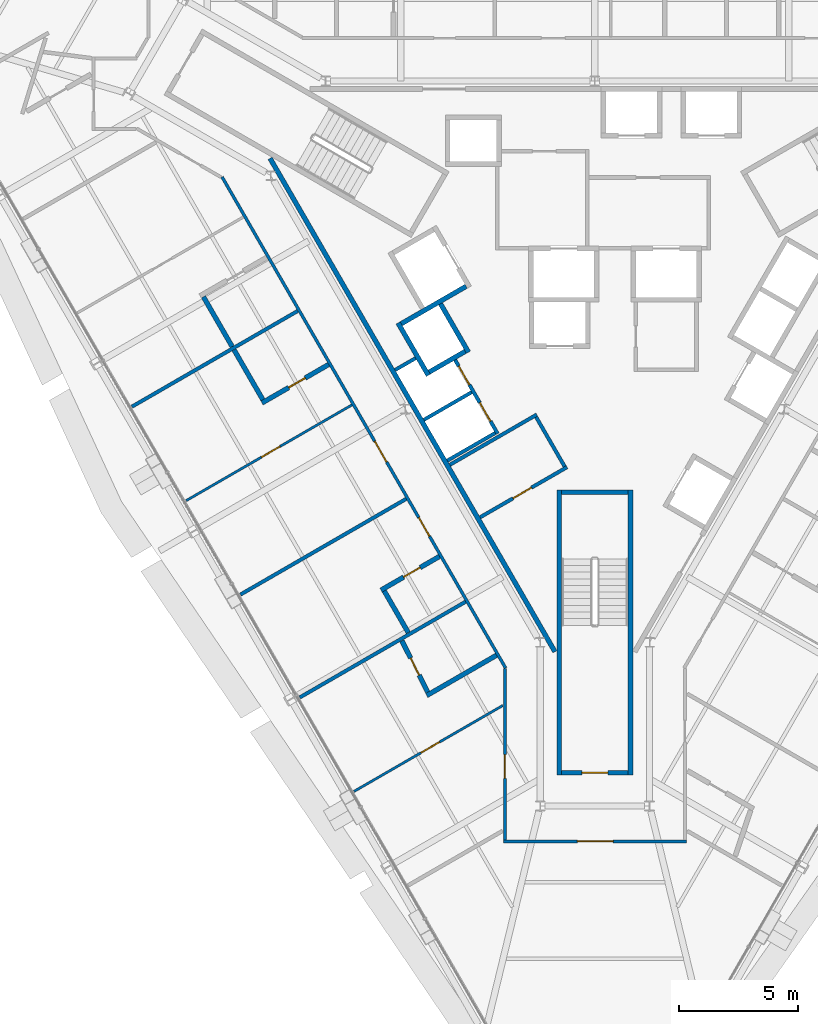
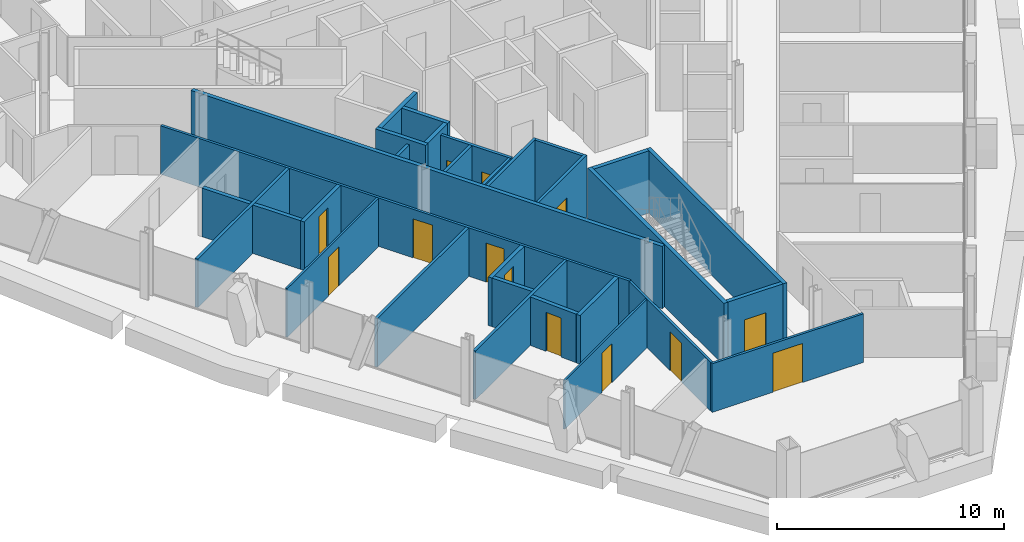
# One storey, part 13 of 19: 31 walls, 13 doors, 13 openings.
"""IFC4 building model written with IfcOpenShell, lengths in metres."""

from ifc_helpers import new_model, si_unit, direction, frame, frame_2d, origin, place, context, subcontext, project, spatial, rectangle, extrude, material, layer, layer_set, type_object, element, fill, save


model = new_model("IFC4")

# Units and contexts
model_context = context("Model", 3, precision=1e-05, world=origin(), true_north=direction((0.0, 1.0)))
body_context = subcontext(model_context, "Body", "Model", "MODEL_VIEW")
ifc_project = project(units=[si_unit("LENGTHUNIT", "METRE"), si_unit("AREAUNIT", "SQUARE_METRE"), si_unit("VOLUMEUNIT", "CUBIC_METRE"), si_unit("PLANEANGLEUNIT", "RADIAN"), si_unit("MASSUNIT", "GRAM", prefix="KILO")], contexts=[model_context])

# Site, building, storey
site_placement = place(None, origin())
site = spatial("IfcSite", under=ifc_project, at=site_placement, CompositionType="ELEMENT")
building_placement = place(site_placement, origin())
building = spatial("IfcBuilding", under=site, at=building_placement, Name="Verrane Prism Tower", CompositionType="ELEMENT")
storey_placement = place(building_placement, frame((0.0, 0.0, 125.199951171875)))
storey = spatial("IfcBuildingStorey", under=building, at=storey_placement, Name="L30", CompositionType="ELEMENT", Elevation=125.199951171875)

# Wall
ifc_material_1 = material(Name="Gypsum board partition", Category="other")
ifc_layer_1 = layer(ifc_material_1, 0.199951171875)
ifc_layer_set_1 = layer_set([ifc_layer_1], Name="CW-200 core boundary wall 2 h")
wall_type_1 = type_object("IfcWallType", Name="CW-200 core boundary wall 2 h", PredefinedType="PARTITIONING", material=ifc_layer_set_1)
wall_1_placement = place(storey_placement, frame((-13.66357421875, 5.946044921875, 0.0), z_axis=(0.0, 0.0, 1.0), x_axis=(0.499994327219, -0.866028678941, 0.0)))
element("IfcWall", 1, at=wall_1_placement, inside=storey, type_object=wall_type_1, Name="Core boundary wall CW3-001", PredefinedType="PARTITIONING", context=body_context, shape_type="SweptSolid", body=[
    extrude(rectangle(XDim=23.967529296875, YDim=0.199951171875, at=frame_2d((11.98388671875, 0.0))), origin(), (0.0, 0.0, 1.0), 3.35009765625),
])

# Wall, opening, door
ifc_material_2 = material(Name="Concrete C40/50", Category="concrete")
ifc_layer_2 = layer(ifc_material_2, 0.199951171875)
ifc_layer_set_2 = layer_set([ifc_layer_2], Name="CW-200 stair core wall concrete C40/50 3 h")
wall_type_2 = type_object("IfcWallType", Name="CW-200 stair core wall concrete C40/50 3 h", PredefinedType="PARTITIONING", material=ifc_layer_set_2)
wall_2_placement = place(storey_placement, frame((-1.39990234375, -19.89990234375, 0.0), z_axis=(0.0, 0.0, 1.0), x_axis=(1.0, 0.0, 0.0)))
wall_2 = element("IfcWall", 2, at=wall_2_placement, inside=storey, type_object=wall_type_2, Name="Stair 3 enclosure wall", PredefinedType="PARTITIONING", context=body_context, shape_type="SweptSolid", body=[
    extrude(rectangle(XDim=2.7998046875, YDim=0.199951171875, at=frame_2d((1.39990234375, 0.0))), origin(), (0.0, 0.0, 1.0), 3.35009765625),
])
opening_1_placement = place(wall_2_placement, frame((0.85009765625, 0.0, 0.0)))
opening_1 = element("IfcOpeningElement", 3, at=opening_1_placement, cuts=wall_2, Name="Opening D29502", PredefinedType="OPENING", context=body_context, shape_type="SweptSolid", body=[
    extrude(rectangle(XDim=1.10009765625, YDim=2.10009765625, at=frame_2d((0.550048828125, 1.050048828125))), frame((0.0, 0.10986328125, 0.0), z_axis=(0.0, -1.0, 0.0), x_axis=(1.0, 0.0, 0.0)), (0.0, 0.0, 1.0), 0.219970703125),
])
ifc_material_3 = material(Name="Timber veneered door leaf", Category="wood")
door_type_1 = type_object("IfcDoorType", Name="DR-1100x2100 FD90 single leaf stair", OperationType="NOTDEFINED", PredefinedType="DOOR", material=ifc_material_3)
door_1_placement = place(opening_1_placement, origin())
door_1 = element("IfcDoor", 4, at=door_1_placement, inside=storey, type_object=door_type_1, Name="Stair 3 door", OperationType="SINGLE_SWING_LEFT", OverallHeight=2.10009765625, OverallWidth=1.10009765625, PredefinedType="DOOR", context=body_context, shape_type="SweptSolid", body=[
    extrude(rectangle(XDim=1.10009765625, YDim=2.10009765625, at=frame_2d((0.550048828125, 1.050048828125))), frame((0.0, 0.02490234375, 0.0), z_axis=(0.0, -1.0, 0.0), x_axis=(1.0, 0.0, 0.0)), (0.0, 0.0, 1.0), 0.050048828125),
])
fill(opening_1, door_1)

# Walls
for number, where, z_axis, x_axis, name in (
    (5, (1.5, -8.0, 0.0), (0.0, 0.0, 1.0), (0.0, -1.0, 0.0), "Stair 3 enclosure wall"),
    (6, (-1.5, -8.0, 0.0), (0.0, 0.0, 1.0), (0.0, -1.0, 0.0), "Stair 3 enclosure wall"),
):
    element("IfcWall", number, at=place(storey_placement, frame(where, z_axis=z_axis, x_axis=x_axis)), inside=storey, type_object=wall_type_2, Name=name, PredefinedType="PARTITIONING", context=body_context, shape_type="SweptSolid", body=[
        extrude(rectangle(XDim=12.0, YDim=0.199951171875, at=frame_2d((6.0, 0.0))), origin(), (0.0, 0.0, 1.0), 3.35009765625),
    ])
wall_3_placement = place(storey_placement, frame((-1.39990234375, -8.10009765625, 0.0), z_axis=(0.0, 0.0, 1.0), x_axis=(1.0, 0.0, 0.0)))
element("IfcWall", 7, at=wall_3_placement, inside=storey, type_object=wall_type_2, Name="Stair 3 enclosure wall", PredefinedType="PARTITIONING", context=body_context, shape_type="SweptSolid", body=[
    extrude(rectangle(XDim=2.7998046875, YDim=0.199951171875, at=frame_2d((1.39990234375, 0.0))), origin(), (0.0, 0.0, 1.0), 3.35009765625),
])
ifc_material_4 = material(Name="Gypsum board shaft wall assembly", Category="other")
ifc_layer_3 = layer(ifc_material_4, 0.199951171875)
ifc_layer_set_3 = layer_set([ifc_layer_3], Name="HW-200 lift shaft wall 2 h")
wall_type_3 = type_object("IfcWallType", Name="HW-200 lift shaft wall 2 h", PredefinedType="PARTITIONING", material=ifc_layer_set_3)
wall_4_placement = place(storey_placement, frame((-6.9697265625, -3.048095703125, 0.0), z_axis=(0.0, 0.0, 1.0), x_axis=(0.866036909293, 0.499980071345, 0.0)))
element("IfcWall", 8, at=wall_4_placement, inside=storey, type_object=wall_type_3, Name="Lift shaft wall", PredefinedType="PARTITIONING", context=body_context, shape_type="SweptSolid", body=[
    extrude(rectangle(XDim=1.75, YDim=0.199951171875, at=frame_2d((0.875, 0.0))), origin(), (0.0, 0.0, 1.0), 3.60009765625),
])
wall_5_placement = place(storey_placement, frame((-8.14453125, -1.012939453125, 0.0), z_axis=(0.0, 0.0, 1.0), x_axis=(0.866016494683, 0.500015430699, 0.0)))
element("IfcWall", 9, at=wall_5_placement, inside=storey, type_object=wall_type_3, Name="Lift shaft wall", PredefinedType="PARTITIONING", context=body_context, shape_type="SweptSolid", body=[
    extrude(rectangle(XDim=3.14990234375, YDim=0.199951171875, at=frame_2d((1.574951171875, 0.0))), origin(), (0.0, 0.0, 1.0), 3.60009765625),
])
wall_6_placement = place(storey_placement, frame((-5.317626953125, -2.209716796875, 0.0), z_axis=(0.0, 0.0, 1.0), x_axis=(-0.499938297808, 0.866061024631, 0.0)))
element("IfcWall", 10, at=wall_6_placement, inside=storey, type_object=wall_type_3, Name="Lift shaft wall", PredefinedType="PARTITIONING", context=body_context, shape_type="SweptSolid", body=[
    extrude(rectangle(XDim=2.349853515625, YDim=0.199951171875, at=frame_2d((1.1748046875, 0.0))), origin(), (0.0, 0.0, 1.0), 3.60009765625),
])
wall_7_placement = place(storey_placement, frame((-7.00634765625, -3.184814453125, 0.0), z_axis=(0.0, 0.0, 1.0), x_axis=(-0.499990435942, 0.866030925526, 0.0)))
element("IfcWall", 11, at=wall_7_placement, inside=storey, type_object=wall_type_3, Name="Lift shaft wall", PredefinedType="PARTITIONING", context=body_context, shape_type="SweptSolid", body=[
    extrude(rectangle(XDim=2.5498046875, YDim=0.199951171875, at=frame_2d((1.27490234375, 0.0))), origin(), (0.0, 0.0, 1.0), 3.60009765625),
])

# Wall, opening, door
ifc_material_5 = material(Name="Gypsum board partition", Category="other")
ifc_layer_4 = layer(ifc_material_5, 0.10009765625)
ifc_layer_set_4 = layer_set([ifc_layer_4], Name="PW-100 room partition")
wall_type_4 = type_object("IfcWallType", Name="PW-100 room partition", PredefinedType="PARTITIONING", material=ifc_layer_set_4)
wall_8_placement = place(storey_placement, frame((-17.191650390625, -8.452880859375, 0.0), z_axis=(0.0, 0.0, 1.0), x_axis=(0.865999665789, 0.500044576866, 0.0)))
wall_8 = element("IfcWall", 12, at=wall_8_placement, inside=storey, type_object=wall_type_4, Name="Room partition 015", PredefinedType="PARTITIONING", context=body_context, shape_type="SweptSolid", body=[
    extrude(rectangle(XDim=8.047607421875, YDim=0.10009765625, at=frame_2d((4.02392578125, 0.0))), origin(), (0.0, 0.0, 1.0), 2.613037109375),
])
opening_2_placement = place(wall_8_placement, frame((3.65380859375, 0.0, 0.0)))
opening_2 = element("IfcOpeningElement", 13, at=opening_2_placement, cuts=wall_8, Name="Opening D29020", PredefinedType="OPENING", context=body_context, shape_type="SweptSolid", body=[
    extrude(rectangle(XDim=0.89990234375, YDim=2.10009765625, at=frame_2d((0.449951171875, 1.050048828125))), frame((0.0, 0.06005859375, 0.0), z_axis=(0.0, -1.0, 0.0), x_axis=(1.0, 0.0, 0.0)), (0.0, 0.0, 1.0), 0.1201171875),
])
ifc_material_6 = material(Name="Timber veneered door leaf", Category="wood")
door_type_2 = type_object("IfcDoorType", Name="DR-900x2100 single leaf inner", OperationType="NOTDEFINED", PredefinedType="DOOR", material=ifc_material_6)
door_2_placement = place(opening_2_placement, origin())
door_2 = element("IfcDoor", 14, at=door_2_placement, inside=storey, type_object=door_type_2, Name="Suite Living Room door", OperationType="SINGLE_SWING_RIGHT", OverallHeight=2.10009765625, OverallWidth=0.89990234375, PredefinedType="DOOR", context=body_context, shape_type="SweptSolid", body=[
    extrude(rectangle(XDim=0.89990234375, YDim=2.10009765625, at=frame_2d((0.449951171875, 1.050048828125))), frame((0.0, 0.02490234375, 0.0), z_axis=(0.0, -1.0, 0.0), x_axis=(1.0, 0.0, 0.0)), (0.0, 0.0, 1.0), 0.050048828125),
])
fill(opening_2, door_2)

wall_9_placement = place(storey_placement, frame((-10.1298828125, -20.68408203125, 0.0), z_axis=(0.0, 0.0, 1.0), x_axis=(0.866023480589, 0.500003331057, 0.0)))
wall_9 = element("IfcWall", 15, at=wall_9_placement, inside=storey, type_object=wall_type_4, Name="Room partition 031", PredefinedType="PARTITIONING", context=body_context, shape_type="SweptSolid", body=[
    extrude(rectangle(XDim=7.22314453125, YDim=0.10009765625, at=frame_2d((3.611572265625, 0.0))), origin(), (0.0, 0.0, 1.0), 2.613037109375),
])
opening_3_placement = place(wall_9_placement, frame((3.25390625, 0.0, 0.0)))
opening_3 = element("IfcOpeningElement", 16, at=opening_3_placement, cuts=wall_9, Name="Opening D29025", PredefinedType="OPENING", context=body_context, shape_type="SweptSolid", body=[
    extrude(rectangle(XDim=0.89990234375, YDim=2.10009765625, at=frame_2d((0.449951171875, 1.050048828125))), frame((0.0, 0.06005859375, 0.0), z_axis=(0.0, -1.0, 0.0), x_axis=(1.0, 0.0, 0.0)), (0.0, 0.0, 1.0), 0.1201171875),
])
door_3_placement = place(opening_3_placement, origin())
door_3 = element("IfcDoor", 17, at=door_3_placement, inside=storey, type_object=door_type_2, Name="Suite Living Room door", OperationType="SINGLE_SWING_LEFT", OverallHeight=2.10009765625, OverallWidth=0.89990234375, PredefinedType="DOOR", context=body_context, shape_type="SweptSolid", body=[
    extrude(rectangle(XDim=0.89990234375, YDim=2.10009765625, at=frame_2d((0.449951171875, 1.050048828125))), frame((0.0, 0.02490234375, 0.0), z_axis=(0.0, -1.0, 0.0), x_axis=(1.0, 0.0, 0.0)), (0.0, 0.0, 1.0), 0.050048828125),
])
fill(opening_3, door_3)

# Wall, openings, doors
ifc_material_7 = material(Name="Gypsum board partition", Category="other")
ifc_layer_5 = layer(ifc_material_7, 0.125)
ifc_layer_set_5 = layer_set([ifc_layer_5], Name="PW-125 corridor wall 1 h")
wall_type_5 = type_object("IfcWallType", Name="PW-125 corridor wall 1 h", PredefinedType="PARTITIONING", material=ifc_layer_set_5)
wall_10_placement = place(storey_placement, frame((-3.755859375, -15.494140625, 0.0), z_axis=(0.0, 0.0, 1.0), x_axis=(-0.500027787016, 0.866009360349, 0.0)))
wall_10 = element("IfcWall", 18, at=wall_10_placement, inside=storey, type_object=wall_type_5, Name="Corridor wall 021", PredefinedType="PARTITIONING", context=body_context, shape_type="SweptSolid", body=[
    extrude(rectangle(XDim=23.855712890625, YDim=0.125, at=frame_2d((11.927734375, 0.0))), origin(), (0.0, 0.0, 1.0), 2.613037109375),
])
opening_4_placement = place(wall_10_placement, frame((10.01611328125, 0.0, 0.0)))
opening_4 = element("IfcOpeningElement", 19, at=opening_4_placement, cuts=wall_10, Name="Opening D29019", PredefinedType="OPENING", context=body_context, shape_type="SweptSolid", body=[
    extrude(rectangle(XDim=1.0, YDim=2.10009765625, at=frame_2d((0.5, 1.050048828125))), frame((0.0, 0.072509765625, 0.0), z_axis=(0.0, -1.0, 0.0), x_axis=(1.0, 0.0, 0.0)), (0.0, 0.0, 1.0), 0.14501953125),
])
opening_5_placement = place(wall_10_placement, frame((6.402099609375, 0.0, 0.0)))
opening_5 = element("IfcOpeningElement", 20, at=opening_5_placement, cuts=wall_10, Name="Opening D29022", PredefinedType="OPENING", context=body_context, shape_type="SweptSolid", body=[
    extrude(rectangle(XDim=0.89990234375, YDim=2.10009765625, at=frame_2d((0.449951171875, 1.050048828125))), frame((0.0, 0.072509765625, 0.0), z_axis=(0.0, -1.0, 0.0), x_axis=(1.0, 0.0, 0.0)), (0.0, 0.0, 1.0), 0.14501953125),
])
ifc_material_8 = material(Name="Timber veneered door leaf", Category="wood")
door_type_3 = type_object("IfcDoorType", Name="DR-1000x2100 FD20 single leaf unit", OperationType="NOTDEFINED", PredefinedType="DOOR", material=ifc_material_8)
door_4_placement = place(opening_4_placement, origin())
door_4 = element("IfcDoor", 21, at=door_4_placement, inside=storey, type_object=door_type_3, Name="Suite Living Room door", OperationType="SINGLE_SWING_RIGHT", OverallHeight=2.10009765625, OverallWidth=1.0, PredefinedType="DOOR", context=body_context, shape_type="SweptSolid", body=[
    extrude(rectangle(XDim=1.0, YDim=2.10009765625, at=frame_2d((0.5, 1.050048828125))), frame((0.0, 0.02490234375, 0.0), z_axis=(0.0, -1.0, 0.0), x_axis=(1.0, 0.0, 0.0)), (0.0, 0.0, 1.0), 0.050048828125),
])
fill(opening_4, door_4)
ifc_material_9 = material(Name="Timber veneered door leaf", Category="wood")
door_type_4 = type_object("IfcDoorType", Name="DR-900x2100 FD20 single leaf unit", OperationType="NOTDEFINED", PredefinedType="DOOR", material=ifc_material_9)
door_5_placement = place(opening_5_placement, origin())
door_5 = element("IfcDoor", 22, at=door_5_placement, inside=storey, type_object=door_type_4, Name="Guest Room door", OperationType="SINGLE_SWING_LEFT", OverallHeight=2.10009765625, OverallWidth=0.89990234375, PredefinedType="DOOR", context=body_context, shape_type="SweptSolid", body=[
    extrude(rectangle(XDim=0.89990234375, YDim=2.10009765625, at=frame_2d((0.449951171875, 1.050048828125))), frame((0.0, 0.02490234375, 0.0), z_axis=(0.0, -1.0, 0.0), x_axis=(1.0, 0.0, 0.0)), (0.0, 0.0, 1.0), 0.050048828125),
])
fill(opening_5, door_5)

# Wall, opening, door
wall_11_placement = place(storey_placement, frame((-3.787109375, -22.721923828125, 0.0), z_axis=(0.0, 0.0, 1.0), x_axis=(0.0, 1.0, 0.0)))
wall_11 = element("IfcWall", 23, at=wall_11_placement, inside=storey, type_object=wall_type_5, Name="Corridor wall 039", PredefinedType="PARTITIONING", context=body_context, shape_type="SweptSolid", body=[
    extrude(rectangle(XDim=7.197021484375, YDim=0.125, at=frame_2d((3.5986328125, 0.0))), origin(), (0.0, 0.0, 1.0), 2.613037109375),
])
opening_6_placement = place(wall_11_placement, frame((2.580078125, 0.0, 0.0)))
opening_6 = element("IfcOpeningElement", 24, at=opening_6_placement, cuts=wall_11, Name="Opening D29024", PredefinedType="OPENING", context=body_context, shape_type="SweptSolid", body=[
    extrude(rectangle(XDim=1.0, YDim=2.10009765625, at=frame_2d((0.5, 1.050048828125))), frame((0.0, 0.072509765625, 0.0), z_axis=(0.0, -1.0, 0.0), x_axis=(1.0, 0.0, 0.0)), (0.0, 0.0, 1.0), 0.14501953125),
])
door_6_placement = place(opening_6_placement, origin())
door_6 = element("IfcDoor", 25, at=door_6_placement, inside=storey, type_object=door_type_3, Name="Suite Living Room door", OperationType="SINGLE_SWING_RIGHT", OverallHeight=2.10009765625, OverallWidth=1.0, PredefinedType="DOOR", context=body_context, shape_type="SweptSolid", body=[
    extrude(rectangle(XDim=1.0, YDim=2.10009765625, at=frame_2d((0.5, 1.050048828125))), frame((0.0, 0.02490234375, 0.0), z_axis=(0.0, -1.0, 0.0), x_axis=(1.0, 0.0, 0.0)), (0.0, 0.0, 1.0), 0.050048828125),
])
fill(opening_6, door_6)

wall_12_placement = place(storey_placement, frame((3.849609375, -22.787109375, 0.0), z_axis=(0.0, 0.0, 1.0), x_axis=(-1.0, 0.0, 0.0)))
wall_12 = element("IfcWall", 26, at=wall_12_placement, inside=storey, type_object=wall_type_5, Name="Corridor wall 040", PredefinedType="PARTITIONING", context=body_context, shape_type="SweptSolid", body=[
    extrude(rectangle(XDim=7.69921875, YDim=0.125, at=frame_2d((3.849609375, 0.0))), origin(), (0.0, 0.0, 1.0), 2.613037109375),
])
opening_7_placement = place(wall_12_placement, frame((3.08642578125, 0.0, 0.0)))
opening_7 = element("IfcOpeningElement", 27, at=opening_7_placement, cuts=wall_12, Name="Opening D29027", PredefinedType="OPENING", context=body_context, shape_type="SweptSolid", body=[
    extrude(rectangle(XDim=1.5, YDim=2.10009765625, at=frame_2d((0.75, 1.050048828125))), frame((0.0, 0.072509765625, 0.0), z_axis=(0.0, -1.0, 0.0), x_axis=(1.0, 0.0, 0.0)), (0.0, 0.0, 1.0), 0.14501953125),
])
ifc_material_10 = material(Name="Timber veneered door leaf", Category="wood")
door_type_5 = type_object("IfcDoorType", Name="DR-1500x2100 FD20 double leaf unit", OperationType="NOTDEFINED", PredefinedType="DOOR", material=ifc_material_10)
door_7_placement = place(opening_7_placement, origin())
door_7 = element("IfcDoor", 28, at=door_7_placement, inside=storey, type_object=door_type_5, Name="Kids Club door", OperationType="DOUBLE_DOOR_SINGLE_SWING", OverallHeight=2.10009765625, OverallWidth=1.5, PredefinedType="DOOR", context=body_context, shape_type="SweptSolid", body=[
    extrude(rectangle(XDim=1.5, YDim=2.10009765625, at=frame_2d((0.75, 1.050048828125))), frame((0.0, 0.02490234375, 0.0), z_axis=(0.0, -1.0, 0.0), x_axis=(1.0, 0.0, 0.0)), (0.0, 0.0, 1.0), 0.050048828125),
])
fill(opening_7, door_7)

# Walls
ifc_material_11 = material(Name="Gypsum board partition", Category="other")
ifc_layer_6 = layer(ifc_material_11, 0.14990234375)
ifc_layer_set_6 = layer_set([ifc_layer_6], Name="PW-150 demising wall 1 h")
wall_type_6 = type_object("IfcWallType", Name="PW-150 demising wall 1 h", PredefinedType="PARTITIONING", material=ifc_layer_set_6)
wall_13_placement = place(storey_placement, frame((-19.473388671875, -4.500732421875, 0.0), z_axis=(0.0, 0.0, 1.0), x_axis=(0.866005217449, 0.50003496213, 0.0)))
element("IfcWall", 29, at=wall_13_placement, inside=storey, type_object=wall_type_6, Name="Demising wall 010", PredefinedType="PARTITIONING", context=body_context, shape_type="SweptSolid", body=[
    extrude(rectangle(XDim=8.04736328125, YDim=0.14990234375, at=frame_2d((4.023681640625, 0.0))), origin(), (0.0, 0.0, 1.0), 2.613037109375),
])
wall_14_placement = place(storey_placement, frame((-14.90966796875, -12.405029296875, 0.0), z_axis=(0.0, 0.0, 1.0), x_axis=(0.866044217767, 0.499967411811, 0.0)))
element("IfcWall", 30, at=wall_14_placement, inside=storey, type_object=wall_type_6, Name="Demising wall 023", PredefinedType="PARTITIONING", context=body_context, shape_type="SweptSolid", body=[
    extrude(rectangle(XDim=8.05224609375, YDim=0.14990234375, at=frame_2d((4.026123046875, 0.0))), origin(), (0.0, 0.0, 1.0), 2.613037109375),
])
wall_15_placement = place(storey_placement, frame((-12.41162109375, -16.73193359375, 0.0), z_axis=(0.0, 0.0, 1.0), x_axis=(0.865997251595, 0.500048757853, 0.0)))
element("IfcWall", 31, at=wall_15_placement, inside=storey, type_object=wall_type_6, Name="Demising wall 027", PredefinedType="PARTITIONING", context=body_context, shape_type="SweptSolid", body=[
    extrude(rectangle(XDim=8.052490234375, YDim=0.14990234375, at=frame_2d((4.0263671875, 0.0))), origin(), (0.0, 0.0, 1.0), 2.613037109375),
])
ifc_material_12 = material(Name="Gypsum board partition", Category="other")
ifc_layer_7 = layer(ifc_material_12, 0.199951171875)
ifc_layer_set_7 = layer_set([ifc_layer_7], Name="PW-200 plumbing wall")
wall_type_7 = type_object("IfcWallType", Name="PW-200 plumbing wall", PredefinedType="PARTITIONING", material=ifc_layer_set_7)
wall_16_placement = place(storey_placement, frame((-16.467041015625, 0.121337890625, 0.0), z_axis=(0.0, 0.0, 1.0), x_axis=(0.499894243479, -0.866086453731, 0.0)))
element("IfcWall", 32, at=wall_16_placement, inside=storey, type_object=wall_type_7, Name="Plumbing wall 016", PredefinedType="PARTITIONING", context=body_context, shape_type="SweptSolid", body=[
    extrude(rectangle(XDim=2.41943359375, YDim=0.199951171875, at=frame_2d((1.209716796875, 0.0))), origin(), (0.0, 0.0, 1.0), 2.613037109375),
])
wall_17_placement = place(storey_placement, frame((-15.177490234375, -2.113037109375, 0.0), z_axis=(0.0, 0.0, 1.0), x_axis=(0.500196916118, -0.865911684357, 0.0)))
element("IfcWall", 33, at=wall_17_placement, inside=storey, type_object=wall_type_7, Name="Plumbing wall 022", PredefinedType="PARTITIONING", context=body_context, shape_type="SweptSolid", body=[
    extrude(rectangle(XDim=2.419921875, YDim=0.199951171875, at=frame_2d((1.2099609375, 0.0))), origin(), (0.0, 0.0, 1.0), 2.613037109375),
])

# Wall, opening, door
wall_18_placement = place(storey_placement, frame((-14.003662109375, -4.344970703125, 0.0), z_axis=(0.0, 0.0, 1.0), x_axis=(0.866016035791, 0.500016225489, 0.0)))
wall_18 = element("IfcWall", 34, at=wall_18_placement, inside=storey, type_object=wall_type_7, Name="Plumbing wall 024", PredefinedType="PARTITIONING", context=body_context, shape_type="SweptSolid", body=[
    extrude(rectangle(XDim=3.2373046875, YDim=0.199951171875, at=frame_2d((1.61865234375, 0.0))), origin(), (0.0, 0.0, 1.0), 2.613037109375),
])
opening_8_placement = place(wall_18_placement, frame((1.300048828125, 0.0, 0.0)))
opening_8 = element("IfcOpeningElement", 35, at=opening_8_placement, cuts=wall_18, Name="Opening D29021", PredefinedType="OPENING", context=body_context, shape_type="SweptSolid", body=[
    extrude(rectangle(XDim=0.800048828125, YDim=2.10009765625, at=frame_2d((0.39990234375, 1.050048828125))), frame((0.0, 0.10986328125, 0.0), z_axis=(0.0, -1.0, 0.0), x_axis=(1.0, 0.0, 0.0)), (0.0, 0.0, 1.0), 0.219970703125),
])
ifc_material_13 = material(Name="Timber veneered door leaf", Category="wood")
door_type_6 = type_object("IfcDoorType", Name="DR-800x2100 single leaf bath", OperationType="NOTDEFINED", PredefinedType="DOOR", material=ifc_material_13)
door_8_placement = place(opening_8_placement, origin())
door_8 = element("IfcDoor", 36, at=door_8_placement, inside=storey, type_object=door_type_6, Name="En-Suite door", OperationType="SINGLE_SWING_LEFT", OverallHeight=2.10009765625, OverallWidth=0.800048828125, PredefinedType="DOOR", context=body_context, shape_type="SweptSolid", body=[
    extrude(rectangle(XDim=0.800048828125, YDim=2.10009765625, at=frame_2d((0.39990234375, 1.050048828125))), frame((0.0, 0.02490234375, 0.0), z_axis=(0.0, -1.0, 0.0), x_axis=(1.0, 0.0, 0.0)), (0.0, 0.0, 1.0), 0.050048828125),
])
fill(opening_8, door_8)

# Wall
wall_19_placement = place(storey_placement, frame((-8.859130859375, -12.255615234375, 0.0), z_axis=(0.0, 0.0, 1.0), x_axis=(0.499868889286, -0.866101087359, 0.0)))
element("IfcWall", 37, at=wall_19_placement, inside=storey, type_object=wall_type_7, Name="Plumbing wall 032", PredefinedType="PARTITIONING", context=body_context, shape_type="SweptSolid", body=[
    extrude(rectangle(XDim=2.0205078125, YDim=0.199951171875, at=frame_2d((1.01025390625, 0.0))), origin(), (0.0, 0.0, 1.0), 2.613037109375),
])

# Wall, opening, door
wall_20_placement = place(storey_placement, frame((-6.5380859375, -10.80029296875, 0.0), z_axis=(0.0, 0.0, 1.0), x_axis=(-0.866048046904, -0.499960778915, 0.0)))
wall_20 = element("IfcWall", 38, at=wall_20_placement, inside=storey, type_object=wall_type_7, Name="Plumbing wall 033", PredefinedType="PARTITIONING", context=body_context, shape_type="SweptSolid", body=[
    extrude(rectangle(XDim=2.837646484375, YDim=0.199951171875, at=frame_2d((1.4189453125, 0.0))), origin(), (0.0, 0.0, 1.0), 2.613037109375),
])
opening_9_placement = place(wall_20_placement, frame((0.9375, 0.0, 0.0)))
opening_9 = element("IfcOpeningElement", 39, at=opening_9_placement, cuts=wall_20, Name="Opening D29023", PredefinedType="OPENING", context=body_context, shape_type="SweptSolid", body=[
    extrude(rectangle(XDim=0.800048828125, YDim=2.10009765625, at=frame_2d((0.39990234375, 1.050048828125))), frame((0.0, 0.10986328125, 0.0), z_axis=(0.0, -1.0, 0.0), x_axis=(1.0, 0.0, 0.0)), (0.0, 0.0, 1.0), 0.219970703125),
])
door_9_placement = place(opening_9_placement, origin())
door_9 = element("IfcDoor", 40, at=door_9_placement, inside=storey, type_object=door_type_6, Name="En-Suite door", OperationType="SINGLE_SWING_RIGHT", OverallHeight=2.10009765625, OverallWidth=0.800048828125, PredefinedType="DOOR", context=body_context, shape_type="SweptSolid", body=[
    extrude(rectangle(XDim=0.800048828125, YDim=2.10009765625, at=frame_2d((0.39990234375, 1.050048828125))), frame((0.0, 0.02490234375, 0.0), z_axis=(0.0, -1.0, 0.0), x_axis=(1.0, 0.0, 0.0)), (0.0, 0.0, 1.0), 0.050048828125),
])
fill(opening_9, door_9)

wall_21_placement = place(storey_placement, frame((-8.11865234375, -14.347412109375, 0.0), z_axis=(0.0, 0.0, 1.0), x_axis=(0.448586498331, -0.893739421484, 0.0)))
wall_21 = element("IfcWall", 41, at=wall_21_placement, inside=storey, type_object=wall_type_7, Name="Plumbing wall 035", PredefinedType="PARTITIONING", context=body_context, shape_type="SweptSolid", body=[
    extrude(rectangle(XDim=2.41748046875, YDim=0.199951171875, at=frame_2d((1.208740234375, 0.0))), origin(), (0.0, 0.0, 1.0), 2.613037109375),
])
opening_10_placement = place(wall_21_placement, frame((0.819091796875, 0.0, 0.0)))
opening_10 = element("IfcOpeningElement", 42, at=opening_10_placement, cuts=wall_21, Name="Opening D29026", PredefinedType="OPENING", context=body_context, shape_type="SweptSolid", body=[
    extrude(rectangle(XDim=0.800048828125, YDim=2.10009765625, at=frame_2d((0.39990234375, 1.050048828125))), frame((0.0, 0.10986328125, 0.0), z_axis=(0.0, -1.0, 0.0), x_axis=(1.0, 0.0, 0.0)), (0.0, 0.0, 1.0), 0.219970703125),
])
door_10_placement = place(opening_10_placement, origin())
door_10 = element("IfcDoor", 43, at=door_10_placement, inside=storey, type_object=door_type_6, Name="En-Suite door", OperationType="SINGLE_SWING_RIGHT", OverallHeight=2.10009765625, OverallWidth=0.800048828125, PredefinedType="DOOR", context=body_context, shape_type="SweptSolid", body=[
    extrude(rectangle(XDim=0.800048828125, YDim=2.10009765625, at=frame_2d((0.39990234375, 1.050048828125))), frame((0.0, 0.02490234375, 0.0), z_axis=(0.0, -1.0, 0.0), x_axis=(1.0, 0.0, 0.0)), (0.0, 0.0, 1.0), 0.050048828125),
])
fill(opening_10, door_10)

# Walls
wall_22_placement = place(storey_placement, frame((-7.073486328125, -16.652099609375, 0.0), z_axis=(0.0, 0.0, 1.0), x_axis=(0.866009256036, 0.500027967679, 0.0)))
element("IfcWall", 44, at=wall_22_placement, inside=storey, type_object=wall_type_7, Name="Plumbing wall 037", PredefinedType="PARTITIONING", context=body_context, shape_type="SweptSolid", body=[
    extrude(rectangle(XDim=3.389404296875, YDim=0.199951171875, at=frame_2d((1.69482421875, 0.0))), origin(), (0.0, 0.0, 1.0), 2.613037109375),
])
ifc_material_14 = material(Name="Gypsum board partition", Category="other")
ifc_layer_8 = layer(ifc_material_14, 0.14990234375)
ifc_layer_set_8 = layer_set([ifc_layer_8], Name="RS-150 riser enclosure wall 1 h")
wall_type_8 = type_object("IfcWallType", Name="RS-150 riser enclosure wall 1 h", PredefinedType="PARTITIONING", material=ifc_layer_set_8)
wall_23_placement = place(storey_placement, frame((-8.402099609375, -2.95751953125, 0.0), z_axis=(0.0, 0.0, 1.0), x_axis=(0.866025935826, 0.499999078476, 0.0)))
element("IfcWall", 45, at=wall_23_placement, inside=storey, type_object=wall_type_8, Name="Riser wall RS3-001", PredefinedType="PARTITIONING", context=body_context, shape_type="SweptSolid", body=[
    extrude(rectangle(XDim=0.9931640625, YDim=0.14990234375, at=frame_2d((0.49658203125, 0.0))), origin(), (0.0, 0.0, 1.0), 3.35009765625),
])
wall_24_placement = place(storey_placement, frame((-7.192138671875, -5.053466796875, 0.0), z_axis=(0.0, 0.0, 1.0), x_axis=(0.865851878631, 0.500300434011, 0.0)))
element("IfcWall", 46, at=wall_24_placement, inside=storey, type_object=wall_type_8, Name="Riser wall RS3-002", PredefinedType="PARTITIONING", context=body_context, shape_type="SweptSolid", body=[
    extrude(rectangle(XDim=2.3154296875, YDim=0.14990234375, at=frame_2d((1.15771484375, 0.0))), origin(), (0.0, 0.0, 1.0), 3.35009765625),
])
wall_25_placement = place(storey_placement, frame((-6.206298828125, -6.77001953125, 0.0), z_axis=(0.0, 0.0, 1.0), x_axis=(0.865998469481, 0.500046648681, 0.0)))
element("IfcWall", 47, at=wall_25_placement, inside=storey, type_object=wall_type_8, Name="Riser wall RS3-003", PredefinedType="PARTITIONING", context=body_context, shape_type="SweptSolid", body=[
    extrude(rectangle(XDim=2.324951171875, YDim=0.14990234375, at=frame_2d((1.16259765625, 0.0))), origin(), (0.0, 0.0, 1.0), 3.35009765625),
])
wall_26_placement = place(storey_placement, frame((-6.10009765625, -6.945556640625, 0.0), z_axis=(0.0, 0.0, 1.0), x_axis=(0.866038200431, 0.499977834903, 0.0)))
element("IfcWall", 48, at=wall_26_placement, inside=storey, type_object=wall_type_8, Name="Riser wall RS3-004", PredefinedType="PARTITIONING", context=body_context, shape_type="SweptSolid", body=[
    extrude(rectangle(XDim=4.220458984375, YDim=0.14990234375, at=frame_2d((2.1103515625, 0.0))), origin(), (0.0, 0.0, 1.0), 3.35009765625),
])

# Wall, openings, doors
wall_27_placement = place(storey_placement, frame((-4.090576171875, -5.635009765625, 0.0), z_axis=(0.0, 0.0, 1.0), x_axis=(-0.499948934428, 0.866054884499, 0.0)))
wall_27 = element("IfcWall", 49, at=wall_27_placement, inside=storey, type_object=wall_type_8, Name="Riser wall RS3-005", PredefinedType="PARTITIONING", context=body_context, shape_type="SweptSolid", body=[
    extrude(rectangle(XDim=3.576904296875, YDim=0.14990234375, at=frame_2d((1.78857421875, 0.0))), origin(), (0.0, 0.0, 1.0), 3.35009765625),
])
opening_11_placement = place(wall_27_placement, frame((2.377197265625, 0.0, 0.0)))
opening_11 = element("IfcOpeningElement", 50, at=opening_11_placement, cuts=wall_27, Name="Opening D29512", PredefinedType="OPENING", context=body_context, shape_type="SweptSolid", body=[
    extrude(rectangle(XDim=0.89990234375, YDim=2.10009765625, at=frame_2d((0.449951171875, 1.050048828125))), frame((0.0, 0.0849609375, 0.0), z_axis=(0.0, -1.0, 0.0), x_axis=(1.0, 0.0, 0.0)), (0.0, 0.0, 1.0), 0.169921875),
])
opening_12_placement = place(wall_27_placement, frame((0.605224609375, 0.0, 0.0)))
opening_12 = element("IfcOpeningElement", 51, at=opening_12_placement, cuts=wall_27, Name="Opening D29513", PredefinedType="OPENING", context=body_context, shape_type="SweptSolid", body=[
    extrude(rectangle(XDim=0.89990234375, YDim=2.10009765625, at=frame_2d((0.449951171875, 1.050048828125))), frame((0.0, 0.0849609375, 0.0), z_axis=(0.0, -1.0, 0.0), x_axis=(1.0, 0.0, 0.0)), (0.0, 0.0, 1.0), 0.169921875),
])
ifc_material_15 = material(Name="Timber veneered door leaf", Category="wood")
door_type_7 = type_object("IfcDoorType", Name="DR-900x2100 FD60 single leaf riser", OperationType="NOTDEFINED", PredefinedType="DOOR", material=ifc_material_15)
door_11_placement = place(opening_11_placement, origin())
door_11 = element("IfcDoor", 52, at=door_11_placement, inside=storey, type_object=door_type_7, Name="Riser door D29512", OperationType="SINGLE_SWING_RIGHT", OverallHeight=2.10009765625, OverallWidth=0.89990234375, PredefinedType="DOOR", context=body_context, shape_type="SweptSolid", body=[
    extrude(rectangle(XDim=0.89990234375, YDim=2.10009765625, at=frame_2d((0.449951171875, 1.050048828125))), frame((0.0, 0.02490234375, 0.0), z_axis=(0.0, -1.0, 0.0), x_axis=(1.0, 0.0, 0.0)), (0.0, 0.0, 1.0), 0.050048828125),
])
fill(opening_11, door_11)
door_12_placement = place(opening_12_placement, origin())
door_12 = element("IfcDoor", 53, at=door_12_placement, inside=storey, type_object=door_type_7, Name="Riser door D29513", OperationType="SINGLE_SWING_LEFT", OverallHeight=2.10009765625, OverallWidth=0.89990234375, PredefinedType="DOOR", context=body_context, shape_type="SweptSolid", body=[
    extrude(rectangle(XDim=0.89990234375, YDim=2.10009765625, at=frame_2d((0.449951171875, 1.050048828125))), frame((0.0, 0.02490234375, 0.0), z_axis=(0.0, -1.0, 0.0), x_axis=(1.0, 0.0, 0.0)), (0.0, 0.0, 1.0), 0.050048828125),
])
fill(opening_12, door_12)

# Wall, opening, door
wall_28_placement = place(storey_placement, frame((-4.824951171875, -9.153564453125, 0.0), z_axis=(0.0, 0.0, 1.0), x_axis=(0.866023738697, 0.500002884005, 0.0)))
wall_28 = element("IfcWall", 54, at=wall_28_placement, inside=storey, type_object=wall_type_8, Name="Riser wall RS3-006", PredefinedType="PARTITIONING", context=body_context, shape_type="SweptSolid", body=[
    extrude(rectangle(XDim=4.22021484375, YDim=0.14990234375, at=frame_2d((2.110107421875, 0.0))), origin(), (0.0, 0.0, 1.0), 3.35009765625),
])
opening_13_placement = place(wall_28_placement, frame((1.594970703125, 0.0, 0.0)))
opening_13 = element("IfcOpeningElement", 55, at=opening_13_placement, cuts=wall_28, Name="Opening D29514", PredefinedType="OPENING", context=body_context, shape_type="SweptSolid", body=[
    extrude(rectangle(XDim=0.89990234375, YDim=2.10009765625, at=frame_2d((0.449951171875, 1.050048828125))), frame((0.0, 0.0849609375, 0.0), z_axis=(0.0, -1.0, 0.0), x_axis=(1.0, 0.0, 0.0)), (0.0, 0.0, 1.0), 0.169921875),
])
ifc_material_16 = material(Name="Timber veneered door leaf", Category="wood")
door_type_8 = type_object("IfcDoorType", Name="DR-900x2100 FD20 single leaf store", OperationType="NOTDEFINED", PredefinedType="DOOR", material=ifc_material_16)
door_13_placement = place(opening_13_placement, origin())
door_13 = element("IfcDoor", 56, at=door_13_placement, inside=storey, type_object=door_type_8, Name="Room door D29514", OperationType="SINGLE_SWING_LEFT", OverallHeight=2.10009765625, OverallWidth=0.89990234375, PredefinedType="DOOR", context=body_context, shape_type="SweptSolid", body=[
    extrude(rectangle(XDim=0.89990234375, YDim=2.10009765625, at=frame_2d((0.449951171875, 1.050048828125))), frame((0.0, 0.02490234375, 0.0), z_axis=(0.0, -1.0, 0.0), x_axis=(1.0, 0.0, 0.0)), (0.0, 0.0, 1.0), 0.050048828125),
])
fill(opening_13, door_13)

# Wall
wall_29_placement = place(storey_placement, frame((-2.472412109375, -4.93798828125, 0.0), z_axis=(0.0, 0.0, 1.0), x_axis=(0.500045362686, -0.865999212041, 0.0)))
element("IfcWall", 57, at=wall_29_placement, inside=storey, type_object=wall_type_8, Name="Riser wall RS3-007", PredefinedType="PARTITIONING", context=body_context, shape_type="SweptSolid", body=[
    extrude(rectangle(XDim=2.399658203125, YDim=0.14990234375, at=frame_2d((1.19970703125, 0.0))), origin(), (0.0, 0.0, 1.0), 3.35009765625),
])

save(model, "model.ifc")
